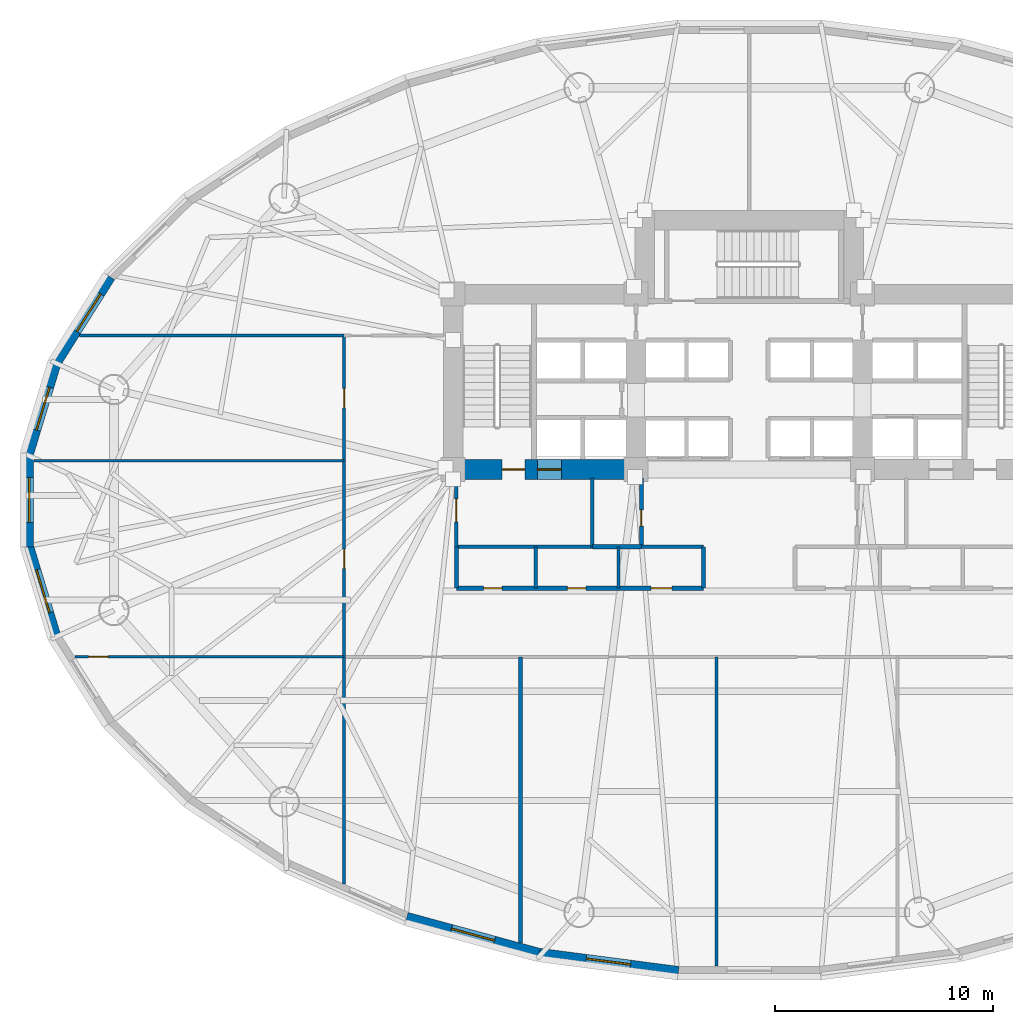
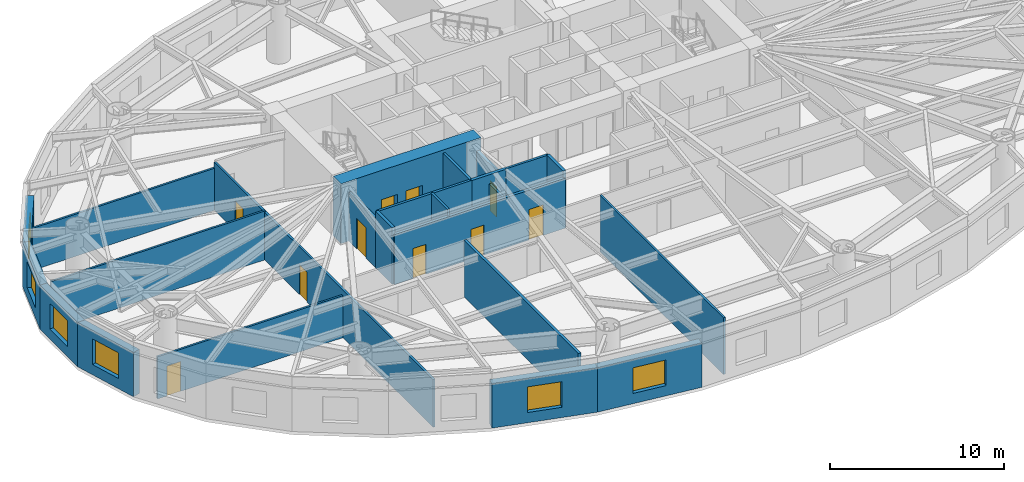
# One storey, part 5 of 14: 24 walls, 10 doors, 6 windows, 16 openings.
"""IFC4 building model written with IfcOpenShell, lengths in metres."""

from ifc_helpers import new_model, si_unit, direction, frame, frame_2d, origin, place, context, subcontext, project, spatial, rectangle, extrude, material, layer, layer_set, type_object, element, fill, save


model = new_model("IFC4")

# Units and contexts
model_context = context("Model", 3, precision=1e-05, world=origin(), true_north=direction((0.0, 1.0)))
body_context = subcontext(model_context, "Body", "Model", "MODEL_VIEW")
ifc_project = project(units=[si_unit("LENGTHUNIT", "METRE"), si_unit("AREAUNIT", "SQUARE_METRE"), si_unit("VOLUMEUNIT", "CUBIC_METRE"), si_unit("PLANEANGLEUNIT", "RADIAN"), si_unit("MASSUNIT", "GRAM", prefix="KILO")], contexts=[model_context])

# Site, building, storey
site_placement = place(None, origin())
site = spatial("IfcSite", under=ifc_project, at=site_placement, CompositionType="ELEMENT")
building_placement = place(site_placement, origin())
building = spatial("IfcBuilding", under=site, at=building_placement, Name="Keldmark Tower", CompositionType="ELEMENT")
storey_placement = place(building_placement, frame((0.0, 0.0, 14.39990234375)))
storey = spatial("IfcBuildingStorey", under=building, at=storey_placement, Name="L03", CompositionType="ELEMENT", Elevation=14.39990234375)

# Wall, openings, doors
ifc_material_1 = material(Name="Acoustic Double-Layer Gypsum Corridor Partition", Category="gypsum")
ifc_layer_1 = layer(ifc_material_1, 0.139892578125)
ifc_layer_set_1 = layer_set([ifc_layer_1], Name="Acoustic Double-Layer Gypsum Corridor Partition")
wall_type_1 = type_object("IfcWallType", Name="Acoustic Corridor Partition 140 mm", PredefinedType="PARTITIONING", material=ifc_layer_set_1)
wall_1_placement = place(storey_placement, frame((-18.60009765625, -17.63720703125, 0.0), z_axis=(0.0, 0.0, 1.0), x_axis=(0.0, 1.0, 0.0)))
wall_1 = element("IfcWall", 1, at=wall_1_placement, inside=storey, type_object=wall_type_1, Name="L03 Acoustic Corridor Partition 140 mm COR-W", PredefinedType="PARTITIONING", context=body_context, shape_type="SweptSolid", body=[
    extrude(rectangle(XDim=25.187255859375, YDim=0.139892578125, at=frame_2d((12.59375, 0.0))), origin(), (0.0, 0.0, 1.0), 3.34814453125),
])
opening_1_placement = place(wall_1_placement, frame((14.4873046875, 0.0, 0.0)))
opening_1 = element("IfcOpeningElement", 2, at=opening_1_placement, cuts=wall_1, Name="Opening D-IN090", PredefinedType="OPENING", context=body_context, shape_type="SweptSolid", body=[
    extrude(rectangle(XDim=0.89990234375, YDim=2.10009765625, at=frame_2d((0.449951171875, 1.050048828125))), frame((0.0, 0.079833984375, 0.0), z_axis=(0.0, -1.0, 0.0), x_axis=(1.0, 0.0, 0.0)), (0.0, 0.0, 1.0), 0.159912109375),
])
opening_2_placement = place(wall_1_placement, frame((21.8623046875, 0.0, 0.0)))
opening_2 = element("IfcOpeningElement", 3, at=opening_2_placement, cuts=wall_1, Name="Opening D-IN090", PredefinedType="OPENING", context=body_context, shape_type="SweptSolid", body=[
    extrude(rectangle(XDim=0.89990234375, YDim=2.10009765625, at=frame_2d((0.449951171875, 1.050048828125))), frame((0.0, 0.079833984375, 0.0), z_axis=(0.0, -1.0, 0.0), x_axis=(1.0, 0.0, 0.0)), (0.0, 0.0, 1.0), 0.159912109375),
])
ifc_material_2 = material(Name="Stained American White Oak Veneer", Category="wood")
door_type_1 = type_object("IfcDoorType", Name="Interior Door 900x2100", OperationType="NOTDEFINED", PredefinedType="DOOR", material=ifc_material_2)
door_1_placement = place(opening_1_placement, origin())
door_1 = element("IfcDoor", 4, at=door_1_placement, inside=storey, type_object=door_type_1, Name="L03 Interior Door 900x2100 D-WR-1-L03", OperationType="SINGLE_SWING_LEFT", OverallHeight=2.10009765625, OverallWidth=0.89990234375, PredefinedType="DOOR", context=body_context, shape_type="SweptSolid", body=[
    extrude(rectangle(XDim=0.89990234375, YDim=2.10009765625, at=frame_2d((0.449951171875, 1.050048828125))), frame((0.0, 0.02490234375, 0.0), z_axis=(0.0, -1.0, 0.0), x_axis=(1.0, 0.0, 0.0)), (0.0, 0.0, 1.0), 0.050048828125),
])
fill(opening_1, door_1)
door_2_placement = place(opening_2_placement, origin())
door_2 = element("IfcDoor", 5, at=door_2_placement, inside=storey, type_object=door_type_1, Name="L03 Interior Door 900x2100 D-WR-2-L03", OperationType="SINGLE_SWING_RIGHT", OverallHeight=2.10009765625, OverallWidth=0.89990234375, PredefinedType="DOOR", context=body_context, shape_type="SweptSolid", body=[
    extrude(rectangle(XDim=0.89990234375, YDim=2.10009765625, at=frame_2d((0.449951171875, 1.050048828125))), frame((0.0, 0.02490234375, 0.0), z_axis=(0.0, -1.0, 0.0), x_axis=(1.0, 0.0, 0.0)), (0.0, 0.0, 1.0), 0.050048828125),
])
fill(opening_2, door_2)

# Wall
ifc_material_3 = material(Name="STC-58 Insulated Tenant Demising Gypsum Partition", Category="gypsum")
ifc_layer_2 = layer(ifc_material_3, 0.175048828125)
ifc_layer_set_2 = layer_set([ifc_layer_2], Name="STC-58 Insulated Tenant Demising Gypsum Partition")
wall_type_2 = type_object("IfcWallType", Name="Demising Suite Partition 175 mm", PredefinedType="PARTITIONING", material=ifc_layer_set_2)
wall_2_placement = place(storey_placement, frame((-10.5, -20.3359375, 0.0), z_axis=(0.0, 0.0, 1.0), x_axis=(0.0, 1.0, 0.0)))
element("IfcWall", 6, at=wall_2_placement, inside=storey, type_object=wall_type_2, Name="L03 Demising Suite Partition 175 mm S-DIV-1", PredefinedType="PARTITIONING", context=body_context, shape_type="SweptSolid", body=[
    extrude(rectangle(XDim=13.135986328125, YDim=0.175048828125, at=frame_2d((6.56787109375, 0.0))), origin(), (0.0, 0.0, 1.0), 3.97998046875),
])

# Wall, openings, doors
ifc_material_4 = material(Name="Heavy Acoustic Plumbing Chase Gypsum Assembly", Category="gypsum")
ifc_layer_3 = layer(ifc_material_4, 0.18994140625)
ifc_layer_set_3 = layer_set([ifc_layer_3], Name="Heavy Acoustic Plumbing Chase Gypsum Assembly")
wall_type_3 = type_object("IfcWallType", Name="Heavy Wet Wall 190 mm", PredefinedType="PLUMBINGWALL", material=ifc_layer_set_3)
wall_3_placement = place(storey_placement, frame((-13.449951171875, -4.050048828125, 0.0), z_axis=(0.0, 0.0, 1.0), x_axis=(1.0, 0.0, 0.0)))
wall_3 = element("IfcWall", 7, at=wall_3_placement, inside=storey, type_object=wall_type_3, Name="L03 Heavy Wet Wall 190 mm SPK-W-S", PredefinedType="PLUMBINGWALL", context=body_context, shape_type="SweptSolid", body=[
    extrude(rectangle(XDim=11.349853515625, YDim=0.18994140625, at=frame_2d((5.6748046875, 0.0))), origin(), (0.0, 0.0, 1.0), 3.507080078125),
])
opening_3_placement = place(wall_3_placement, frame((1.25, 0.0, 0.0)))
opening_3 = element("IfcOpeningElement", 8, at=opening_3_placement, cuts=wall_3, Name="Opening D-WC085", PredefinedType="OPENING", context=body_context, shape_type="SweptSolid", body=[
    extrude(rectangle(XDim=0.85009765625, YDim=2.10009765625, at=frame_2d((0.425048828125, 1.050048828125))), frame((0.0, 0.10498046875, 0.0), z_axis=(0.0, -1.0, 0.0), x_axis=(1.0, 0.0, 0.0)), (0.0, 0.0, 1.0), 0.2099609375),
])
opening_4_placement = place(wall_3_placement, frame((5.10009765625, 0.0, 0.0)))
opening_4 = element("IfcOpeningElement", 9, at=opening_4_placement, cuts=wall_3, Name="Opening D-WC085", PredefinedType="OPENING", context=body_context, shape_type="SweptSolid", body=[
    extrude(rectangle(XDim=0.85009765625, YDim=2.10009765625, at=frame_2d((0.425048828125, 1.050048828125))), frame((0.0, 0.10498046875, 0.0), z_axis=(0.0, -1.0, 0.0), x_axis=(1.0, 0.0, 0.0)), (0.0, 0.0, 1.0), 0.2099609375),
])
opening_5_placement = place(wall_3_placement, frame((8.949951171875, 0.0, 0.0)))
opening_5 = element("IfcOpeningElement", 10, at=opening_5_placement, cuts=wall_3, Name="Opening D-AWC95", PredefinedType="OPENING", context=body_context, shape_type="SweptSolid", body=[
    extrude(rectangle(XDim=0.949951171875, YDim=2.14990234375, at=frame_2d((0.47509765625, 1.074951171875))), frame((0.0, 0.10498046875, 0.0), z_axis=(0.0, -1.0, 0.0), x_axis=(1.0, 0.0, 0.0)), (0.0, 0.0, 1.0), 0.2099609375),
])
ifc_material_5 = material(Name="Painted Solid-Core Architectural Wood", Category="wood")
door_type_2 = type_object("IfcDoorType", Name="Accessible WC Door 950x2150", OperationType="NOTDEFINED", PredefinedType="DOOR", material=ifc_material_5)
door_3_placement = place(opening_5_placement, origin())
door_3 = element("IfcDoor", 11, at=door_3_placement, inside=storey, type_object=door_type_2, Name="L03 Accessible WC Door 950x2150 D-SPKW3-L03", OperationType="SINGLE_SWING_LEFT", OverallHeight=2.14990234375, OverallWidth=0.949951171875, PredefinedType="DOOR", context=body_context, shape_type="SweptSolid", body=[
    extrude(rectangle(XDim=0.949951171875, YDim=2.14990234375, at=frame_2d((0.47509765625, 1.074951171875))), frame((0.0, 0.02490234375, 0.0), z_axis=(0.0, -1.0, 0.0), x_axis=(1.0, 0.0, 0.0)), (0.0, 0.0, 1.0), 0.050048828125),
])
fill(opening_5, door_3)
ifc_material_6 = material(Name="Moisture-Sealed Painted Wood", Category="wood")
door_type_3 = type_object("IfcDoorType", Name="WC Door 850x2100", OperationType="NOTDEFINED", PredefinedType="DOOR", material=ifc_material_6)
door_4_placement = place(opening_3_placement, origin())
door_4 = element("IfcDoor", 12, at=door_4_placement, inside=storey, type_object=door_type_3, Name="L03 WC Door 850x2100 D-SPKW1-L03", OperationType="SINGLE_SWING_LEFT", OverallHeight=2.10009765625, OverallWidth=0.85009765625, PredefinedType="DOOR", context=body_context, shape_type="SweptSolid", body=[
    extrude(rectangle(XDim=0.85009765625, YDim=2.10009765625, at=frame_2d((0.425048828125, 1.050048828125))), frame((0.0, 0.02490234375, 0.0), z_axis=(0.0, -1.0, 0.0), x_axis=(1.0, 0.0, 0.0)), (0.0, 0.0, 1.0), 0.050048828125),
])
fill(opening_3, door_4)
door_5_placement = place(opening_4_placement, origin())
door_5 = element("IfcDoor", 13, at=door_5_placement, inside=storey, type_object=door_type_3, Name="L03 WC Door 850x2100 D-SPKW2-L03", OperationType="SINGLE_SWING_RIGHT", OverallHeight=2.10009765625, OverallWidth=0.85009765625, PredefinedType="DOOR", context=body_context, shape_type="SweptSolid", body=[
    extrude(rectangle(XDim=0.85009765625, YDim=2.10009765625, at=frame_2d((0.425048828125, 1.050048828125))), frame((0.0, 0.02490234375, 0.0), z_axis=(0.0, -1.0, 0.0), x_axis=(1.0, 0.0, 0.0)), (0.0, 0.0, 1.0), 0.050048828125),
])
fill(opening_4, door_5)

# Walls
for number, where, z_axis, x_axis, name in (
    (14, (-13.449951171875, -4.050048828125, 0.0), (0.0, 0.0, 1.0), (0.0, 1.0, 0.0), "L03 Heavy Wet Wall 190 mm SPK-W-W"),
    (15, (-2.10009765625, -4.050048828125, 0.0), (0.0, 0.0, 1.0), (0.0, 1.0, 0.0), "L03 Heavy Wet Wall 190 mm SPK-W-E"),
):
    element("IfcWall", number, at=place(storey_placement, frame(where, z_axis=z_axis, x_axis=x_axis)), inside=storey, type_object=wall_type_3, Name=name, PredefinedType="PLUMBINGWALL", context=body_context, shape_type="SweptSolid", body=[
        extrude(rectangle(XDim=1.900146484375, YDim=0.18994140625, at=frame_2d((0.9501953125, 0.0))), origin(), (0.0, 0.0, 1.0), 3.97998046875),
    ])
ifc_material_7 = material(Name="Acoustic Gypsum Board Interior Partition", Category="gypsum")
ifc_layer_4 = layer(ifc_material_7, 0.1298828125)
ifc_layer_set_4 = layer_set([ifc_layer_4], Name="Acoustic Gypsum Board Interior Partition")
wall_type_4 = type_object("IfcWallType", Name="Interior Partition 130 mm", PredefinedType="PARTITIONING", material=ifc_layer_set_4)
wall_4_placement = place(storey_placement, frame((-1.5, -21.406005859375, 0.0), z_axis=(0.0, 0.0, 1.0), x_axis=(0.0, 1.0, 0.0)))
element("IfcWall", 16, at=wall_4_placement, inside=storey, type_object=wall_type_4, Name="L03 Interior Partition 130 mm S-DIV-2", PredefinedType="PARTITIONING", context=body_context, shape_type="SweptSolid", body=[
    extrude(rectangle(XDim=14.2060546875, YDim=0.1298828125, at=frame_2d((7.10302734375, 0.0))), origin(), (0.0, 0.0, 1.0), 3.97998046875),
])
wall_5_placement = place(storey_placement, frame((-30.74658203125, 7.550048828125, 0.0), z_axis=(0.0, 0.0, 1.0), x_axis=(1.0, 0.0, 0.0)))
element("IfcWall", 17, at=wall_5_placement, inside=storey, type_object=wall_type_4, Name="L03 Interior Partition 130 mm W-CAP-N", PredefinedType="PARTITIONING", context=body_context, shape_type="SweptSolid", body=[
    extrude(rectangle(XDim=12.146484375, YDim=0.1298828125, at=frame_2d((6.0732421875, 0.0))), origin(), (0.0, 0.0, 1.0), 2.9580078125),
])

# Wall, opening, door
wall_6_placement = place(storey_placement, frame((-30.96728515625, -7.199951171875, 0.0), z_axis=(0.0, 0.0, 1.0), x_axis=(1.0, 0.0, 0.0)))
wall_6 = element("IfcWall", 18, at=wall_6_placement, inside=storey, type_object=wall_type_4, Name="L03 Interior Partition 130 mm W-CAP-S", PredefinedType="PARTITIONING", context=body_context, shape_type="SweptSolid", body=[
    extrude(rectangle(XDim=12.3671875, YDim=0.1298828125, at=frame_2d((6.18359375, 0.0))), origin(), (0.0, 0.0, 1.0), 2.9580078125),
])
opening_6_placement = place(wall_6_placement, frame((0.6298828125, 0.0, 0.0)))
opening_6 = element("IfcOpeningElement", 19, at=opening_6_placement, cuts=wall_6, Name="Opening D-IN090", PredefinedType="OPENING", context=body_context, shape_type="SweptSolid", body=[
    extrude(rectangle(XDim=0.89990234375, YDim=2.10009765625, at=frame_2d((0.449951171875, 1.050048828125))), frame((0.0, 0.074951171875, 0.0), z_axis=(0.0, -1.0, 0.0), x_axis=(1.0, 0.0, 0.0)), (0.0, 0.0, 1.0), 0.14990234375),
])
door_6_placement = place(opening_6_placement, origin())
door_6 = element("IfcDoor", 20, at=door_6_placement, inside=storey, type_object=door_type_1, Name="L03 Interior Door 900x2100 D-WRSW-L03", OperationType="SINGLE_SWING_LEFT", OverallHeight=2.10009765625, OverallWidth=0.89990234375, PredefinedType="DOOR", context=body_context, shape_type="SweptSolid", body=[
    extrude(rectangle(XDim=0.89990234375, YDim=2.10009765625, at=frame_2d((0.449951171875, 1.050048828125))), frame((0.0, 0.02490234375, 0.0), z_axis=(0.0, -1.0, 0.0), x_axis=(1.0, 0.0, 0.0)), (0.0, 0.0, 1.0), 0.050048828125),
])
fill(opening_6, door_6)

# Wall
wall_7_placement = place(storey_placement, frame((-32.8505859375, 1.800048828125, 0.0), z_axis=(0.0, 0.0, 1.0), x_axis=(1.0, 0.0, 0.0)))
element("IfcWall", 21, at=wall_7_placement, inside=storey, type_object=wall_type_4, Name="L03 Interior Partition 130 mm W-DIV-1", PredefinedType="PARTITIONING", context=body_context, shape_type="SweptSolid", body=[
    extrude(rectangle(XDim=14.25048828125, YDim=0.1298828125, at=frame_2d((7.125244140625, 0.0))), origin(), (0.0, 0.0, 1.0), 3.43310546875),
])

# Wall, openings, doors
ifc_material_8 = material(Name="Concrete C70/85", Category="concrete")
ifc_layer_5 = layer(ifc_material_8, 0.89990234375)
ifc_layer_set_5 = layer_set([ifc_layer_5], Name="Concrete C70/85")
wall_type_5 = type_object("IfcWallType", Name="Lower Core Shear Wall 900 mm", PredefinedType="SHEAR", material=ifc_layer_set_5)
wall_8_placement = place(storey_placement, frame((-4.75, 1.39990234375, 0.0), z_axis=(0.0, 0.0, 1.0), x_axis=(-1.0, 0.0, 0.0)))
wall_8 = element("IfcWall", 22, at=wall_8_placement, inside=storey, type_object=wall_type_5, Name="L03 West Core South Shear Wall", PredefinedType="SHEAR", context=body_context, shape_type="SweptSolid", body=[
    extrude(rectangle(XDim=9.300048828125, YDim=0.89990234375, at=frame_2d((4.64990234375, 0.0))), origin(), (0.0, 0.0, 1.0), 4.2001953125),
])
opening_7_placement = place(wall_8_placement, frame((5.550048828125, 0.0, 0.0)))
opening_7 = element("IfcOpeningElement", 23, at=opening_7_placement, cuts=wall_8, Name="Opening D-ST105", PredefinedType="OPENING", context=body_context, shape_type="SweptSolid", body=[
    extrude(rectangle(XDim=1.050048828125, YDim=2.14990234375, at=frame_2d((0.52490234375, 1.074951171875))), frame((0.0, 0.4599609375, 0.0), z_axis=(0.0, -1.0, 0.0), x_axis=(1.0, 0.0, 0.0)), (0.0, 0.0, 1.0), 0.919921875),
])
opening_8_placement = place(wall_8_placement, frame((3.8798828125, 0.0, 0.0)))
opening_8 = element("IfcOpeningElement", 24, at=opening_8_placement, cuts=wall_8, Name="Opening LD-110", PredefinedType="OPENING", context=body_context, shape_type="SweptSolid", body=[
    extrude(rectangle(XDim=1.10009765625, YDim=2.199951171875, at=frame_2d((0.550048828125, 1.10009765625))), frame((0.0, 0.4599609375, 0.0), z_axis=(0.0, -1.0, 0.0), x_axis=(1.0, 0.0, 0.0)), (0.0, 0.0, 1.0), 0.919921875),
])
ifc_material_9 = material(Name="Brushed Bronze Hoistway Sliding Leaf", Category="metal")
door_type_4 = type_object("IfcDoorType", Name="Lift Landing Sliding Door 1100x2200", OperationType="SLIDING_TO_LEFT", PredefinedType="DOOR", material=ifc_material_9)
door_7_placement = place(opening_8_placement, origin())
door_7 = element("IfcDoor", 25, at=door_7_placement, inside=storey, type_object=door_type_4, Name="L03 Lift Landing Sliding Door 1100x2200 LD-EL-FS1-L03", OperationType="SLIDING_TO_LEFT", OverallHeight=2.199951171875, OverallWidth=1.10009765625, PredefinedType="DOOR", context=body_context, shape_type="SweptSolid", body=[
    extrude(rectangle(XDim=1.10009765625, YDim=2.199951171875, at=frame_2d((0.550048828125, 1.10009765625))), frame((0.0, 0.02490234375, 0.0), z_axis=(0.0, -1.0, 0.0), x_axis=(1.0, 0.0, 0.0)), (0.0, 0.0, 1.0), 0.050048828125),
])
fill(opening_8, door_7)
ifc_material_10 = material(Name="Hollow Metal Fire-Rated Door Assembly", Category="metal")
door_type_5 = type_object("IfcDoorType", Name="Stair Fire Door 1050x2150", OperationType="NOTDEFINED", PredefinedType="DOOR", material=ifc_material_10)
door_8_placement = place(opening_7_placement, origin())
door_8 = element("IfcDoor", 26, at=door_8_placement, inside=storey, type_object=door_type_5, Name="L03 Stair Fire Door 1050x2150 D-ST1-L03", OperationType="SINGLE_SWING_RIGHT", OverallHeight=2.14990234375, OverallWidth=1.050048828125, PredefinedType="DOOR", context=body_context, shape_type="SweptSolid", body=[
    extrude(rectangle(XDim=1.050048828125, YDim=2.14990234375, at=frame_2d((0.52490234375, 1.074951171875))), frame((0.0, 0.02490234375, 0.0), z_axis=(0.0, -1.0, 0.0), x_axis=(1.0, 0.0, 0.0)), (0.0, 0.0, 1.0), 0.050048828125),
])
fill(opening_7, door_8)

# Wall, opening, window
ifc_material_11 = material(Name="Ironspot Manganese Brick and Kasota Buff Limestone Cavity Assembly", Category="masonry")
ifc_layer_6 = layer(ifc_material_11, 0.47998046875)
ifc_layer_set_6 = layer_set([ifc_layer_6], Name="Ironspot Manganese Brick and Kasota Buff Limestone Cavity Assembly")
wall_type_6 = type_object("IfcWallType", Name="Podium Brick and Limestone Cavity Wall 480 mm", PredefinedType="STANDARD", material=ifc_layer_set_6)
wall_9_placement = place(storey_placement, frame((-31.8544921875, 6.25830078125, 0.0), z_axis=(0.0, 0.0, 1.0), x_axis=(0.53349762721, 0.845801561693, 0.0)))
wall_9 = element("IfcWall", 27, at=wall_9_placement, inside=storey, type_object=wall_type_6, Name="L03 Exterior Brick and Spandrel Wall 14", PredefinedType="STANDARD", context=body_context, shape_type="SweptSolid", body=[
    extrude(rectangle(XDim=4.710693359375, YDim=0.47998046875, at=frame_2d((2.35546875, 0.0))), origin(), (0.0, 0.0, 1.0), 3.109130859375),
])
opening_9_placement = place(wall_9_placement, frame((1.772705078125, 0.0, 0.719970703125)))
opening_9 = element("IfcOpeningElement", 28, at=opening_9_placement, cuts=wall_9, Name="Opening W-07", PredefinedType="OPENING", context=body_context, shape_type="SweptSolid", body=[
    extrude(rectangle(XDim=2.050048828125, YDim=1.800048828125, at=frame_2d((1.02490234375, 0.89990234375))), frame((0.0, 0.25, 0.0), z_axis=(0.0, -1.0, 0.0), x_axis=(1.0, 0.0, 0.0)), (0.0, 0.0, 1.0), 0.5),
])
ifc_material_12 = material(Name="Thermally Broken Anodized Aluminum and Triple Low-E Argon Glazing", Category="aluminium")
window_type = type_object("IfcWindowType", Name="Podium Mezzanine Punched Window 2050x1800", PartitioningType="DOUBLE_PANEL_VERTICAL", PredefinedType="WINDOW", material=ifc_material_12)
window_1_placement = place(opening_9_placement, origin())
window_1 = element("IfcWindow", 29, at=window_1_placement, inside=storey, type_object=window_type, Name="L03 Deep-Set Window 14", OverallHeight=1.800048828125, OverallWidth=2.050048828125, PartitioningType="SINGLE_PANEL", PredefinedType="WINDOW", context=body_context, shape_type="SweptSolid", body=[
    extrude(rectangle(XDim=2.050048828125, YDim=1.800048828125, at=frame_2d((1.02490234375, 0.89990234375))), frame((0.0, -0.010009765625, 0.0), z_axis=(0.0, -1.0, 0.0), x_axis=(1.0, 0.0, 0.0)), (0.0, 0.0, 1.0), 0.06005859375),
])
fill(opening_9, window_1)

wall_10_placement = place(storey_placement, frame((-33.10888671875, 2.0869140625, 0.0), z_axis=(0.0, 0.0, 1.0), x_axis=(0.289855603468, 0.957070388811, 0.0)))
wall_10 = element("IfcWall", 30, at=wall_10_placement, inside=storey, type_object=wall_type_6, Name="L03 Exterior Brick and Spandrel Wall 15", PredefinedType="STANDARD", context=body_context, shape_type="SweptSolid", body=[
    extrude(rectangle(XDim=4.41943359375, YDim=0.47998046875, at=frame_2d((2.209716796875, 0.0))), origin(), (0.0, 0.0, 1.0), 3.109130859375),
])
opening_10_placement = place(wall_10_placement, frame((1.184814453125, 0.0, 0.719970703125)))
opening_10 = element("IfcOpeningElement", 31, at=opening_10_placement, cuts=wall_10, Name="Opening W-07", PredefinedType="OPENING", context=body_context, shape_type="SweptSolid", body=[
    extrude(rectangle(XDim=2.050048828125, YDim=1.800048828125, at=frame_2d((1.02490234375, 0.89990234375))), frame((0.0, 0.25, 0.0), z_axis=(0.0, -1.0, 0.0), x_axis=(1.0, 0.0, 0.0)), (0.0, 0.0, 1.0), 0.5),
])
window_2_placement = place(opening_10_placement, origin())
window_2 = element("IfcWindow", 32, at=window_2_placement, inside=storey, type_object=window_type, Name="L03 Deep-Set Window 15", OverallHeight=1.800048828125, OverallWidth=2.050048828125, PartitioningType="SINGLE_PANEL", PredefinedType="WINDOW", context=body_context, shape_type="SweptSolid", body=[
    extrude(rectangle(XDim=2.050048828125, YDim=1.800048828125, at=frame_2d((1.02490234375, 0.89990234375))), frame((0.0, -0.010009765625, 0.0), z_axis=(0.0, -1.0, 0.0), x_axis=(1.0, 0.0, 0.0)), (0.0, 0.0, 1.0), 0.06005859375),
])
fill(opening_10, window_2)

wall_11_placement = place(storey_placement, frame((-33.0986328125, -2.156494140625, 0.0), z_axis=(0.0, 0.0, 1.0), x_axis=(0.0, 1.0, 0.0)))
wall_11 = element("IfcWall", 33, at=wall_11_placement, inside=storey, type_object=wall_type_6, Name="L03 Exterior Brick and Spandrel Wall 16", PredefinedType="STANDARD", context=body_context, shape_type="SweptSolid", body=[
    extrude(rectangle(XDim=4.31298828125, YDim=0.47998046875, at=frame_2d((2.156494140625, 0.0))), origin(), (0.0, 0.0, 1.0), 3.109130859375),
])
opening_11_placement = place(wall_11_placement, frame((1.13134765625, 0.0, 0.719970703125)))
opening_11 = element("IfcOpeningElement", 34, at=opening_11_placement, cuts=wall_11, Name="Opening W-07", PredefinedType="OPENING", context=body_context, shape_type="SweptSolid", body=[
    extrude(rectangle(XDim=2.050048828125, YDim=1.800048828125, at=frame_2d((1.02490234375, 0.89990234375))), frame((0.0, 0.25, 0.0), z_axis=(0.0, -1.0, 0.0), x_axis=(1.0, 0.0, 0.0)), (0.0, 0.0, 1.0), 0.5),
])
window_3_placement = place(opening_11_placement, origin())
window_3 = element("IfcWindow", 35, at=window_3_placement, inside=storey, type_object=window_type, Name="L03 Deep-Set Window 16", OverallHeight=1.800048828125, OverallWidth=2.050048828125, PartitioningType="SINGLE_PANEL", PredefinedType="WINDOW", context=body_context, shape_type="SweptSolid", body=[
    extrude(rectangle(XDim=2.050048828125, YDim=1.800048828125, at=frame_2d((1.02490234375, 0.89990234375))), frame((0.0, -0.010009765625, 0.0), z_axis=(0.0, -1.0, 0.0), x_axis=(1.0, 0.0, 0.0)), (0.0, 0.0, 1.0), 0.06005859375),
])
fill(opening_11, window_3)

wall_12_placement = place(storey_placement, frame((-31.827880859375, -6.316650390625, 0.0), z_axis=(0.0, 0.0, 1.0), x_axis=(-0.289855603468, 0.957070388811, 0.0)))
wall_12 = element("IfcWall", 36, at=wall_12_placement, inside=storey, type_object=wall_type_6, Name="L03 Exterior Brick and Spandrel Wall 17", PredefinedType="STANDARD", context=body_context, shape_type="SweptSolid", body=[
    extrude(rectangle(XDim=4.41943359375, YDim=0.47998046875, at=frame_2d((2.209716796875, 0.0))), origin(), (0.0, 0.0, 1.0), 3.109130859375),
])
opening_12_placement = place(wall_12_placement, frame((1.184814453125, 0.0, 0.719970703125)))
opening_12 = element("IfcOpeningElement", 37, at=opening_12_placement, cuts=wall_12, Name="Opening W-07", PredefinedType="OPENING", context=body_context, shape_type="SweptSolid", body=[
    extrude(rectangle(XDim=2.050048828125, YDim=1.800048828125, at=frame_2d((1.02490234375, 0.89990234375))), frame((0.0, 0.25, 0.0), z_axis=(0.0, -1.0, 0.0), x_axis=(1.0, 0.0, 0.0)), (0.0, 0.0, 1.0), 0.5),
])
window_4_placement = place(opening_12_placement, origin())
window_4 = element("IfcWindow", 38, at=window_4_placement, inside=storey, type_object=window_type, Name="L03 Deep-Set Window 17", OverallHeight=1.800048828125, OverallWidth=2.050048828125, PartitioningType="SINGLE_PANEL", PredefinedType="WINDOW", context=body_context, shape_type="SweptSolid", body=[
    extrude(rectangle(XDim=2.050048828125, YDim=1.800048828125, at=frame_2d((1.02490234375, 0.89990234375))), frame((0.0, -0.010009765625, 0.0), z_axis=(0.0, -1.0, 0.0), x_axis=(1.0, 0.0, 0.0)), (0.0, 0.0, 1.0), 0.06005859375),
])
fill(opening_12, window_4)

wall_13_placement = place(storey_placement, frame((-9.66162109375, -20.821044921875, 0.0), z_axis=(0.0, 0.0, 1.0), x_axis=(-0.964936550718, 0.262483243445, 0.0)))
wall_13 = element("IfcWall", 39, at=wall_13_placement, inside=storey, type_object=wall_type_6, Name="L03 Exterior Brick and Spandrel Wall 22", PredefinedType="STANDARD", context=body_context, shape_type="SweptSolid", body=[
    extrude(rectangle(XDim=6.28759765625, YDim=0.47998046875, at=frame_2d((3.143798828125, 0.0))), origin(), (0.0, 0.0, 1.0), 3.109130859375),
])
opening_13_placement = place(wall_13_placement, frame((2.118896484375, 0.0, 0.719970703125)))
opening_13 = element("IfcOpeningElement", 40, at=opening_13_placement, cuts=wall_13, Name="Opening W-07", PredefinedType="OPENING", context=body_context, shape_type="SweptSolid", body=[
    extrude(rectangle(XDim=2.050048828125, YDim=1.800048828125, at=frame_2d((1.02490234375, 0.89990234375))), frame((0.0, 0.25, 0.0), z_axis=(0.0, -1.0, 0.0), x_axis=(1.0, 0.0, 0.0)), (0.0, 0.0, 1.0), 0.5),
])
window_5_placement = place(opening_13_placement, origin())
window_5 = element("IfcWindow", 41, at=window_5_placement, inside=storey, type_object=window_type, Name="L03 Deep-Set Window 22", OverallHeight=1.800048828125, OverallWidth=2.050048828125, PartitioningType="SINGLE_PANEL", PredefinedType="WINDOW", context=body_context, shape_type="SweptSolid", body=[
    extrude(rectangle(XDim=2.050048828125, YDim=1.800048828125, at=frame_2d((1.02490234375, 0.89990234375))), frame((0.0, -0.010009765625, 0.0), z_axis=(0.0, -1.0, 0.0), x_axis=(1.0, 0.0, 0.0)), (0.0, 0.0, 1.0), 0.06005859375),
])
fill(opening_13, window_5)

wall_14_placement = place(storey_placement, frame((-3.25244140625, -21.656005859375, 0.0), z_axis=(0.0, 0.0, 1.0), x_axis=(-0.991576921472, 0.129519144545, 0.0)))
wall_14 = element("IfcWall", 42, at=wall_14_placement, inside=storey, type_object=wall_type_6, Name="L03 Exterior Brick and Spandrel Wall 23", PredefinedType="STANDARD", context=body_context, shape_type="SweptSolid", body=[
    extrude(rectangle(XDim=6.49560546875, YDim=0.47998046875, at=frame_2d((3.247802734375, 0.0))), origin(), (0.0, 0.0, 1.0), 3.109130859375),
])
opening_14_placement = place(wall_14_placement, frame((2.222900390625, 0.0, 0.719970703125)))
opening_14 = element("IfcOpeningElement", 43, at=opening_14_placement, cuts=wall_14, Name="Opening W-07", PredefinedType="OPENING", context=body_context, shape_type="SweptSolid", body=[
    extrude(rectangle(XDim=2.050048828125, YDim=1.800048828125, at=frame_2d((1.02490234375, 0.89990234375))), frame((0.0, 0.25, 0.0), z_axis=(0.0, -1.0, 0.0), x_axis=(1.0, 0.0, 0.0)), (0.0, 0.0, 1.0), 0.5),
])
window_6_placement = place(opening_14_placement, origin())
window_6 = element("IfcWindow", 44, at=window_6_placement, inside=storey, type_object=window_type, Name="L03 Deep-Set Window 23", OverallHeight=1.800048828125, OverallWidth=2.050048828125, PartitioningType="SINGLE_PANEL", PredefinedType="WINDOW", context=body_context, shape_type="SweptSolid", body=[
    extrude(rectangle(XDim=2.050048828125, YDim=1.800048828125, at=frame_2d((1.02490234375, 0.89990234375))), frame((0.0, -0.010009765625, 0.0), z_axis=(0.0, -1.0, 0.0), x_axis=(1.0, 0.0, 0.0)), (0.0, 0.0, 1.0), 0.06005859375),
])
fill(opening_14, window_6)

# Wall
ifc_material_13 = material(Name="Type X Fire-Rated Gypsum Partition Assembly", Category="gypsum")
ifc_layer_7 = layer(ifc_material_13, 0.1650390625)
ifc_layer_set_7 = layer_set([ifc_layer_7], Name="Type X Fire-Rated Gypsum Partition Assembly")
wall_type_7 = type_object("IfcWallType", Name="Rated Partition 165 mm", PredefinedType="PARTITIONING", material=ifc_layer_set_7)
wall_15_placement = place(storey_placement, frame((-13.449951171875, -2.14990234375, 0.0), z_axis=(0.0, 0.0, 1.0), x_axis=(1.0, 0.0, 0.0)))
element("IfcWall", 45, at=wall_15_placement, inside=storey, type_object=wall_type_7, Name="L03 Rated Partition 165 mm FSAE-W-S", PredefinedType="PARTITIONING", context=body_context, shape_type="SweptSolid", body=[
    extrude(rectangle(XDim=6.25, YDim=0.1650390625, at=frame_2d((3.125, 0.0))), origin(), (0.0, 0.0, 1.0), 3.97998046875),
])

# Wall, opening, door
wall_16_placement = place(storey_placement, frame((-13.449951171875, -2.14990234375, 0.0), z_axis=(0.0, 0.0, 1.0), x_axis=(0.0, 1.0, 0.0)))
wall_16 = element("IfcWall", 46, at=wall_16_placement, inside=storey, type_object=wall_type_7, Name="L03 Rated Partition 165 mm FSAE-W-W", PredefinedType="PARTITIONING", context=body_context, shape_type="SweptSolid", body=[
    extrude(rectangle(XDim=3.14990234375, YDim=0.1650390625, at=frame_2d((1.574951171875, 0.0))), origin(), (0.0, 0.0, 1.0), 3.43310546875),
])
opening_15_placement = place(wall_16_placement, frame((1.14990234375, 0.0, 0.0)))
opening_15 = element("IfcOpeningElement", 47, at=opening_15_placement, cuts=wall_16, Name="Opening D-FL105", PredefinedType="OPENING", context=body_context, shape_type="SweptSolid", body=[
    extrude(rectangle(XDim=1.050048828125, YDim=2.14990234375, at=frame_2d((0.52490234375, 1.074951171875))), frame((0.0, 0.092529296875, 0.0), z_axis=(0.0, -1.0, 0.0), x_axis=(1.0, 0.0, 0.0)), (0.0, 0.0, 1.0), 0.18505859375),
])
ifc_material_14 = material(Name="Fire-Rated Mineral-Core Door and Vision Lite", Category="metal")
door_type_6 = type_object("IfcDoorType", Name="Fire Lobby Door 1050x2150", OperationType="NOTDEFINED", PredefinedType="DOOR", material=ifc_material_14)
door_9_placement = place(opening_15_placement, origin())
door_9 = element("IfcDoor", 48, at=door_9_placement, inside=storey, type_object=door_type_6, Name="L03 Fire Lobby Door 1050x2150 D-FSAEW-OUT-L03", OperationType="SINGLE_SWING_LEFT", OverallHeight=2.14990234375, OverallWidth=1.050048828125, PredefinedType="DOOR", context=body_context, shape_type="SweptSolid", body=[
    extrude(rectangle(XDim=1.050048828125, YDim=2.14990234375, at=frame_2d((0.52490234375, 1.074951171875))), frame((0.0, 0.02490234375, 0.0), z_axis=(0.0, -1.0, 0.0), x_axis=(1.0, 0.0, 0.0)), (0.0, 0.0, 1.0), 0.050048828125),
])
fill(opening_15, door_9)

# Walls
wall_17_placement = place(storey_placement, frame((-7.199951171875, -2.14990234375, 0.0), z_axis=(0.0, 0.0, 1.0), x_axis=(0.0, 1.0, 0.0)))
element("IfcWall", 49, at=wall_17_placement, inside=storey, type_object=wall_type_7, Name="L03 Rated Partition 165 mm FSAE-W-E", PredefinedType="PARTITIONING", context=body_context, shape_type="SweptSolid", body=[
    extrude(rectangle(XDim=3.14990234375, YDim=0.1650390625, at=frame_2d((1.574951171875, 0.0))), origin(), (0.0, 0.0, 1.0), 3.97998046875),
])
ifc_material_15 = material(Name="Fire-Resistant Type X Gypsum Shaftliner Coreboard", Category="gypsum")
ifc_layer_8 = layer(ifc_material_15, 0.199951171875)
ifc_layer_set_8 = layer_set([ifc_layer_8], Name="Fire-Resistant Type X Gypsum Shaftliner Coreboard")
wall_type_8 = type_object("IfcWallType", Name="Shaft Wall 200 mm", PredefinedType="SOLIDWALL", material=ifc_layer_set_8)
wall_18_placement = place(storey_placement, frame((-7.199951171875, -2.14990234375, 0.0), z_axis=(0.0, 0.0, 1.0), x_axis=(1.0, 0.0, 0.0)))
element("IfcWall", 50, at=wall_18_placement, inside=storey, type_object=wall_type_8, Name="L03 Shaft Wall 200 mm RIS-SW-S", PredefinedType="SOLIDWALL", context=body_context, shape_type="SweptSolid", body=[
    extrude(rectangle(XDim=2.25, YDim=0.199951171875, at=frame_2d((1.125, 0.0))), origin(), (0.0, 0.0, 1.0), 3.97998046875),
])

# Wall, opening, door
wall_19_placement = place(storey_placement, frame((-4.949951171875, -2.14990234375, 0.0), z_axis=(0.0, 0.0, 1.0), x_axis=(0.0, 1.0, 0.0)))
wall_19 = element("IfcWall", 51, at=wall_19_placement, inside=storey, type_object=wall_type_8, Name="L03 Shaft Wall 200 mm RIS-SW-E", PredefinedType="SOLIDWALL", context=body_context, shape_type="SweptSolid", body=[
    extrude(rectangle(XDim=3.14990234375, YDim=0.199951171875, at=frame_2d((1.574951171875, 0.0))), origin(), (0.0, 0.0, 1.0), 3.34814453125),
])
opening_16_placement = place(wall_19_placement, frame((0.949951171875, 0.0, 0.0)))
opening_16 = element("IfcOpeningElement", 52, at=opening_16_placement, cuts=wall_19, Name="Opening D-RS075", PredefinedType="OPENING", context=body_context, shape_type="SweptSolid", body=[
    extrude(rectangle(XDim=0.75, YDim=2.10009765625, at=frame_2d((0.375, 1.050048828125))), frame((0.0, 0.10986328125, 0.0), z_axis=(0.0, -1.0, 0.0), x_axis=(1.0, 0.0, 0.0)), (0.0, 0.0, 1.0), 0.219970703125),
])
ifc_material_16 = material(Name="Galvanized Fire-Rated Access Leaf", Category="metal")
door_type_7 = type_object("IfcDoorType", Name="Riser Access Door 750x2100", OperationType="NOTDEFINED", PredefinedType="DOOR", material=ifc_material_16)
door_10_placement = place(opening_16_placement, origin())
door_10 = element("IfcDoor", 53, at=door_10_placement, inside=storey, type_object=door_type_7, Name="L03 Riser Access Door 750x2100 D-RISSW-L03", OperationType="SINGLE_SWING_RIGHT", OverallHeight=2.10009765625, OverallWidth=0.75, PredefinedType="DOOR", context=body_context, shape_type="SweptSolid", body=[
    extrude(rectangle(XDim=0.75, YDim=2.10009765625, at=frame_2d((0.375, 1.050048828125))), frame((0.0, 0.02490234375, 0.0), z_axis=(0.0, -1.0, 0.0), x_axis=(1.0, 0.0, 0.0)), (0.0, 0.0, 1.0), 0.050048828125),
])
fill(opening_16, door_10)

# Walls
ifc_material_17 = material(Name="Moisture-Resistant Gypsum Plumbing Partition", Category="gypsum")
ifc_layer_9 = layer(ifc_material_17, 0.14990234375)
ifc_layer_set_9 = layer_set([ifc_layer_9], Name="Moisture-Resistant Gypsum Plumbing Partition")
wall_type_9 = type_object("IfcWallType", Name="Wet Wall 150 mm", PredefinedType="PLUMBINGWALL", material=ifc_layer_set_9)
wall_20_placement = place(storey_placement, frame((-4.949951171875, -2.14990234375, 0.0), z_axis=(0.0, 0.0, 1.0), x_axis=(1.0, 0.0, 0.0)))
element("IfcWall", 54, at=wall_20_placement, inside=storey, type_object=wall_type_9, Name="L03 Wet Wall 150 mm SPK-W-N", PredefinedType="PLUMBINGWALL", context=body_context, shape_type="SweptSolid", body=[
    extrude(rectangle(XDim=2.849853515625, YDim=0.14990234375, at=frame_2d((1.4248046875, 0.0))), origin(), (0.0, 0.0, 1.0), 3.97998046875),
])
wall_21_placement = place(storey_placement, frame((-9.800048828125, -4.050048828125, 0.0), z_axis=(0.0, 0.0, 1.0), x_axis=(0.0, 1.0, 0.0)))
element("IfcWall", 55, at=wall_21_placement, inside=storey, type_object=wall_type_9, Name="L03 Wet Wall 150 mm SPK-W-D1", PredefinedType="PLUMBINGWALL", context=body_context, shape_type="SweptSolid", body=[
    extrude(rectangle(XDim=1.900146484375, YDim=0.14990234375, at=frame_2d((0.9501953125, 0.0))), origin(), (0.0, 0.0, 1.0), 3.97998046875),
])
wall_22_placement = place(storey_placement, frame((-6.0, -4.050048828125, 0.0), z_axis=(0.0, 0.0, 1.0), x_axis=(0.0, 1.0, 0.0)))
element("IfcWall", 56, at=wall_22_placement, inside=storey, type_object=wall_type_9, Name="L03 Wet Wall 150 mm SPK-W-D2", PredefinedType="PLUMBINGWALL", context=body_context, shape_type="SweptSolid", body=[
    extrude(rectangle(XDim=1.900146484375, YDim=0.14990234375, at=frame_2d((0.9501953125, 0.0))), origin(), (0.0, 0.0, 1.0), 3.34814453125),
])

save(model, "model.ifc")
